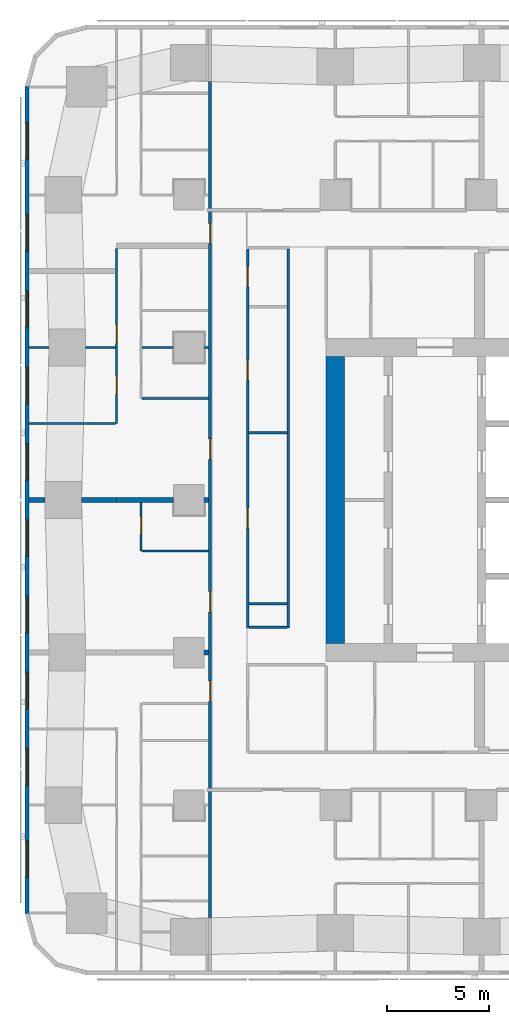
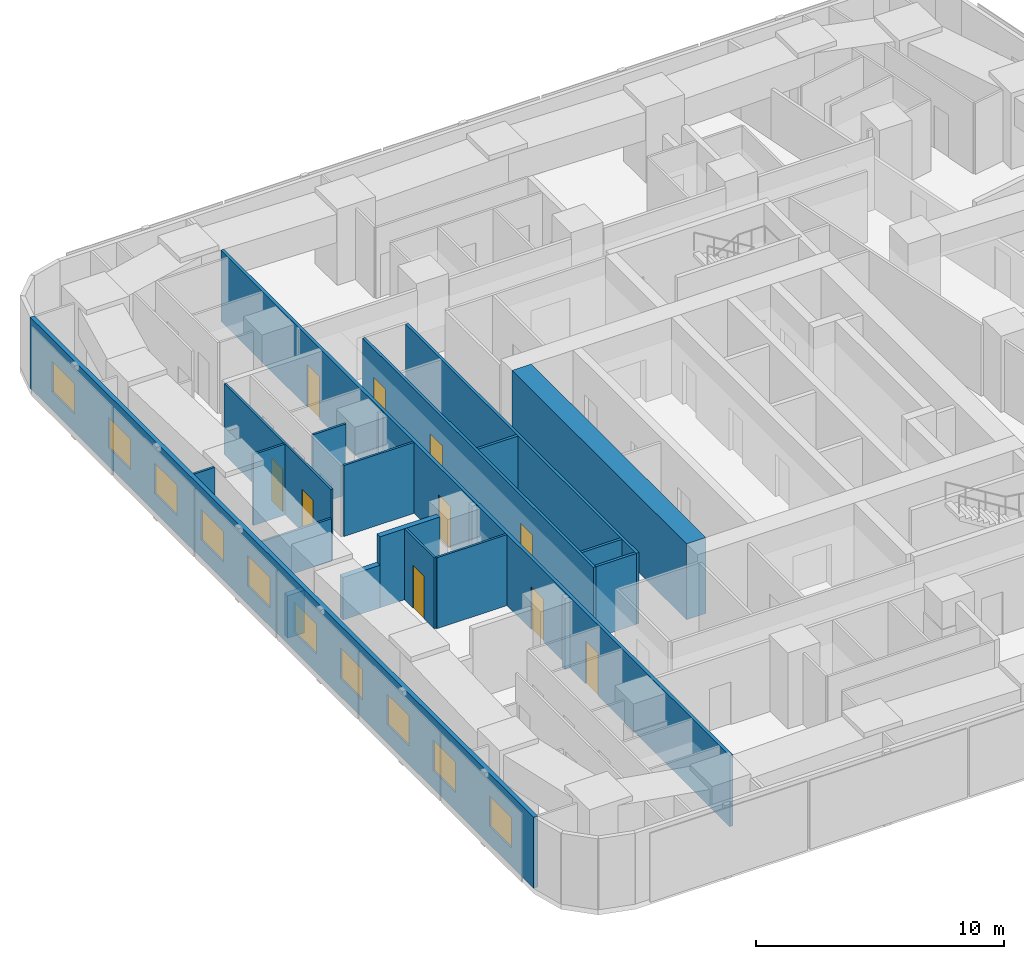
# One storey, part 4 of 15: 22 walls, 10 doors, 10 windows, 20 openings.
"""IFC4 building model written with IfcOpenShell, lengths in metres."""

from ifc_helpers import new_model, si_unit, direction, frame, frame_2d, origin, place, context, subcontext, project, spatial, rectangle, extrude, material, layer, layer_set, type_object, element, fill, save


model = new_model("IFC4")

# Units and contexts
model_context = context("Model", 3, precision=1e-05, world=origin(), true_north=direction((0.0, 1.0)))
body_context = subcontext(model_context, "Body", "Model", "MODEL_VIEW")
ifc_project = project(units=[si_unit("LENGTHUNIT", "METRE"), si_unit("AREAUNIT", "SQUARE_METRE"), si_unit("VOLUMEUNIT", "CUBIC_METRE"), si_unit("PLANEANGLEUNIT", "RADIAN"), si_unit("MASSUNIT", "GRAM", prefix="KILO")], contexts=[model_context])

# Site, building, storey
site_placement = place(None, origin())
site = spatial("IfcSite", under=ifc_project, at=site_placement, CompositionType="ELEMENT")
building_placement = place(site_placement, origin())
building = spatial("IfcBuilding", under=site, at=building_placement, Name="Sheger Commons Tower", CompositionType="ELEMENT")
storey_placement = place(building_placement, frame((0.0, 0.0, 173.300048828125)))
storey = spatial("IfcBuildingStorey", under=building, at=storey_placement, Name="L44", CompositionType="ELEMENT", Elevation=173.300048828125)

# Wall
ifc_material_1 = material(Name="Concrete C50/60", Category="concrete")
ifc_layer_1 = layer(ifc_material_1, 0.89990234375)
ifc_layer_set_1 = layer_set([ifc_layer_1], Name="CORE WALL 900")
wall_type_1 = type_object("IfcWallType", Name="CORE WALL 900", PredefinedType="SHEAR", material=ifc_layer_set_1)
wall_1_placement = place(storey_placement, frame((14.39990234375, 15.449951171875, 0.0), z_axis=(0.0, 0.0, 1.0), x_axis=(0.0, 1.0, 0.0)))
element("IfcWall", 1, at=wall_1_placement, inside=storey, type_object=wall_type_1, Name="Core wall west L44", PredefinedType="SHEAR", context=body_context, shape_type="SweptSolid", body=[
    extrude(rectangle(XDim=14.10009765625, YDim=0.89990234375, at=frame_2d((7.050048828125, 0.0))), origin(), (0.0, 0.0, 1.0), 3.75),
])

# Wall, openings, doors
ifc_material_2 = material(Name="Hollow concrete block masonry, skimmed both sides", Category="masonry")
ifc_layer_2 = layer(ifc_material_2, 0.14990234375)
ifc_layer_set_2 = layer_set([ifc_layer_2], Name="CORRIDOR WALL 150")
wall_type_2 = type_object("IfcWallType", Name="CORRIDOR WALL 150", PredefinedType="SOLIDWALL", material=ifc_layer_set_2)
wall_2_placement = place(storey_placement, frame((8.25, 1.95703125, 0.0), z_axis=(0.0, 0.0, 1.0), x_axis=(0.0, 1.0, 0.0)))
wall_2 = element("IfcWall", 2, at=wall_2_placement, inside=storey, type_object=wall_type_2, Name="Corridor wall L44", PredefinedType="SOLIDWALL", context=body_context, shape_type="SweptSolid", body=[
    extrude(rectangle(XDim=41.111083984375, YDim=0.14990234375, at=frame_2d((20.5556640625, 0.0))), origin(), (0.0, 0.0, 1.0), 3.5),
])
opening_1_placement = place(wall_2_placement, frame((10.64208984375, 0.0, 0.0)))
opening_1 = element("IfcOpeningElement", 3, at=opening_1_placement, cuts=wall_2, Name="Opening D1", PredefinedType="OPENING", context=body_context, shape_type="SweptSolid", body=[
    extrude(rectangle(XDim=1.0, YDim=2.10009765625, at=frame_2d((0.5, 1.050048828125))), frame((0.0, 0.0849609375, 0.0), z_axis=(0.0, -1.0, 0.0), x_axis=(1.0, 0.0, 0.0)), (0.0, 0.0, 1.0), 0.169921875),
])
opening_2_placement = place(wall_2_placement, frame((15.0419921875, 0.0, 0.0)))
opening_2 = element("IfcOpeningElement", 4, at=opening_2_placement, cuts=wall_2, Name="Opening D1", PredefinedType="OPENING", context=body_context, shape_type="SweptSolid", body=[
    extrude(rectangle(XDim=1.0, YDim=2.10009765625, at=frame_2d((0.5, 1.050048828125))), frame((0.0, 0.0849609375, 0.0), z_axis=(0.0, -1.0, 0.0), x_axis=(1.0, 0.0, 0.0)), (0.0, 0.0, 1.0), 0.169921875),
])
opening_3_placement = place(wall_2_placement, frame((22.54296875, 0.0, 0.0)))
opening_3 = element("IfcOpeningElement", 5, at=opening_3_placement, cuts=wall_2, Name="Opening D1", PredefinedType="OPENING", context=body_context, shape_type="SweptSolid", body=[
    extrude(rectangle(XDim=1.0, YDim=2.10009765625, at=frame_2d((0.5, 1.050048828125))), frame((0.0, 0.0849609375, 0.0), z_axis=(0.0, -1.0, 0.0), x_axis=(1.0, 0.0, 0.0)), (0.0, 0.0, 1.0), 0.169921875),
])
opening_4_placement = place(wall_2_placement, frame((33.14208984375, 0.0, 0.0)))
opening_4 = element("IfcOpeningElement", 6, at=opening_4_placement, cuts=wall_2, Name="Opening D1", PredefinedType="OPENING", context=body_context, shape_type="SweptSolid", body=[
    extrude(rectangle(XDim=1.0, YDim=2.10009765625, at=frame_2d((0.5, 1.050048828125))), frame((0.0, 0.0849609375, 0.0), z_axis=(0.0, -1.0, 0.0), x_axis=(1.0, 0.0, 0.0)), (0.0, 0.0, 1.0), 0.169921875),
])
ifc_material_3 = material(Name="Steel door set, fire rated", Category="steel")
door_type_1 = type_object("IfcDoorType", Name="FLAT ENTRANCE DOOR 1000x2100", OperationType="NOTDEFINED", PredefinedType="DOOR", material=ifc_material_3)
door_1_placement = place(opening_1_placement, origin())
door_1 = element("IfcDoor", 7, at=door_1_placement, inside=storey, type_object=door_type_1, Name="Flat entrance door", OperationType="SINGLE_SWING_LEFT", OverallHeight=2.10009765625, OverallWidth=1.0, PredefinedType="DOOR", context=body_context, shape_type="SweptSolid", body=[
    extrude(rectangle(XDim=1.0, YDim=2.10009765625, at=frame_2d((0.5, 1.050048828125))), frame((0.0, 0.02490234375, 0.0), z_axis=(0.0, -1.0, 0.0), x_axis=(1.0, 0.0, 0.0)), (0.0, 0.0, 1.0), 0.050048828125),
])
fill(opening_1, door_1)
door_2_placement = place(opening_2_placement, origin())
door_2 = element("IfcDoor", 8, at=door_2_placement, inside=storey, type_object=door_type_1, Name="Flat entrance door", OperationType="SINGLE_SWING_LEFT", OverallHeight=2.10009765625, OverallWidth=1.0, PredefinedType="DOOR", context=body_context, shape_type="SweptSolid", body=[
    extrude(rectangle(XDim=1.0, YDim=2.10009765625, at=frame_2d((0.5, 1.050048828125))), frame((0.0, 0.02490234375, 0.0), z_axis=(0.0, -1.0, 0.0), x_axis=(1.0, 0.0, 0.0)), (0.0, 0.0, 1.0), 0.050048828125),
])
fill(opening_2, door_2)
door_3_placement = place(opening_3_placement, origin())
door_3 = element("IfcDoor", 9, at=door_3_placement, inside=storey, type_object=door_type_1, Name="Flat entrance door", OperationType="SINGLE_SWING_LEFT", OverallHeight=2.10009765625, OverallWidth=1.0, PredefinedType="DOOR", context=body_context, shape_type="SweptSolid", body=[
    extrude(rectangle(XDim=1.0, YDim=2.10009765625, at=frame_2d((0.5, 1.050048828125))), frame((0.0, 0.02490234375, 0.0), z_axis=(0.0, -1.0, 0.0), x_axis=(1.0, 0.0, 0.0)), (0.0, 0.0, 1.0), 0.050048828125),
])
fill(opening_3, door_3)
door_4_placement = place(opening_4_placement, origin())
door_4 = element("IfcDoor", 10, at=door_4_placement, inside=storey, type_object=door_type_1, Name="Flat entrance door", OperationType="SINGLE_SWING_LEFT", OverallHeight=2.10009765625, OverallWidth=1.0, PredefinedType="DOOR", context=body_context, shape_type="SweptSolid", body=[
    extrude(rectangle(XDim=1.0, YDim=2.10009765625, at=frame_2d((0.5, 1.050048828125))), frame((0.0, 0.02490234375, 0.0), z_axis=(0.0, -1.0, 0.0), x_axis=(1.0, 0.0, 0.0)), (0.0, 0.0, 1.0), 0.050048828125),
])
fill(opening_4, door_4)

# Walls
ifc_material_4 = material(Name="Dense concrete block masonry, plastered both sides (separating wall between flats)", Category="masonry")
ifc_layer_3 = layer(ifc_material_4, 0.25)
ifc_layer_set_3 = layer_set([ifc_layer_3], Name="DEMISING WALL 250")
wall_type_3 = type_object("IfcWallType", Name="DEMISING WALL 250", PredefinedType="SOLIDWALL", material=ifc_layer_set_3)
wall_3_placement = place(storey_placement, frame((7.950927734375, 15.0, 0.0), z_axis=(0.0, 0.0, 1.0), x_axis=(1.0, 0.0, 0.0)))
element("IfcWall", 11, at=wall_3_placement, inside=storey, type_object=wall_type_3, Name="Demising wall L44", PredefinedType="SOLIDWALL", context=body_context, shape_type="SweptSolid", body=[
    extrude(rectangle(XDim=0.22412109375, YDim=0.25, at=frame_2d((0.112060546875, 0.0))), origin(), (0.0, 0.0, 1.0), 3.5),
])
wall_4_placement = place(storey_placement, frame((-0.64990234375, 22.5, 0.0), z_axis=(0.0, 0.0, 1.0), x_axis=(1.0, 0.0, 0.0)))
element("IfcWall", 12, at=wall_4_placement, inside=storey, type_object=wall_type_3, Name="Demising wall L44", PredefinedType="SOLIDWALL", context=body_context, shape_type="SweptSolid", body=[
    extrude(rectangle(XDim=0.77392578125, YDim=0.25, at=frame_2d((0.386962890625, 0.0))), origin(), (0.0, 0.0, 1.0), 2.099853515625),
])
wall_5_placement = place(storey_placement, frame((1.926025390625, 22.5, 0.0), z_axis=(0.0, 0.0, 1.0), x_axis=(1.0, 0.0, 0.0)))
element("IfcWall", 13, at=wall_5_placement, inside=storey, type_object=wall_type_3, Name="Demising wall L44", PredefinedType="SOLIDWALL", context=body_context, shape_type="SweptSolid", body=[
    extrude(rectangle(XDim=1.723876953125, YDim=0.25, at=frame_2d((0.86181640625, 0.0))), origin(), (0.0, 0.0, 1.0), 2.099853515625),
])
wall_6_placement = place(storey_placement, frame((3.64990234375, 22.5, 0.0), z_axis=(0.0, 0.0, 1.0), x_axis=(1.0, 0.0, 0.0)))
element("IfcWall", 14, at=wall_6_placement, inside=storey, type_object=wall_type_3, Name="Demising wall L44", PredefinedType="SOLIDWALL", context=body_context, shape_type="SweptSolid", body=[
    extrude(rectangle(XDim=2.799072265625, YDim=0.25, at=frame_2d((1.3994140625, 0.0))), origin(), (0.0, 0.0, 1.0), 3.5),
])
wall_7_placement = place(storey_placement, frame((7.950927734375, 22.5, 0.0), z_axis=(0.0, 0.0, 1.0), x_axis=(1.0, 0.0, 0.0)))
element("IfcWall", 15, at=wall_7_placement, inside=storey, type_object=wall_type_3, Name="Demising wall L44", PredefinedType="SOLIDWALL", context=body_context, shape_type="SweptSolid", body=[
    extrude(rectangle(XDim=0.22412109375, YDim=0.25, at=frame_2d((0.112060546875, 0.0))), origin(), (0.0, 0.0, 1.0), 3.5),
])

# Wall, openings, windows
ifc_material_5 = material(Name="Rendered concrete block masonry, dark grey", Category="masonry")
ifc_layer_4 = layer(ifc_material_5, 0.199951171875)
ifc_layer_set_4 = layer_set([ifc_layer_4], Name="FACADE WALL 200")
wall_type_4 = type_object("IfcWallType", Name="FACADE WALL 200", PredefinedType="SOLIDWALL", material=ifc_layer_set_4)
wall_8_placement = place(storey_placement, frame((-0.75, 42.8369140625, 0.0), z_axis=(0.0, 0.0, 1.0), x_axis=(0.0, -1.0, 0.0)))
wall_8 = element("IfcWall", 16, at=wall_8_placement, inside=storey, type_object=wall_type_4, Name="Facade wall L44", PredefinedType="SOLIDWALL", context=body_context, shape_type="SweptSolid", body=[
    extrude(rectangle(XDim=40.673828125, YDim=0.199951171875, at=frame_2d((20.3369140625, 0.0))), origin(), (0.0, 0.0, 1.0), 3.5),
])
opening_5_placement = place(wall_8_placement, frame((1.780029296875, 0.0, 0.89990234375)))
opening_5 = element("IfcOpeningElement", 17, at=opening_5_placement, cuts=wall_8, Name="Opening W2", PredefinedType="OPENING", context=body_context, shape_type="SweptSolid", body=[
    extrude(rectangle(XDim=1.800048828125, YDim=1.5, at=frame_2d((0.89990234375, 0.75))), frame((0.0, 0.10986328125, 0.0), z_axis=(0.0, -1.0, 0.0), x_axis=(1.0, 0.0, 0.0)), (0.0, 0.0, 1.0), 0.219970703125),
])
opening_6_placement = place(wall_8_placement, frame((6.31201171875, 0.0, 0.89990234375)))
opening_6 = element("IfcOpeningElement", 18, at=opening_6_placement, cuts=wall_8, Name="Opening W2", PredefinedType="OPENING", context=body_context, shape_type="SweptSolid", body=[
    extrude(rectangle(XDim=1.800048828125, YDim=1.5, at=frame_2d((0.89990234375, 0.75))), frame((0.0, 0.10986328125, 0.0), z_axis=(0.0, -1.0, 0.0), x_axis=(1.0, 0.0, 0.0)), (0.0, 0.0, 1.0), 0.219970703125),
])
opening_7_placement = place(wall_8_placement, frame((10.06201171875, 0.0, 0.89990234375)))
opening_7 = element("IfcOpeningElement", 19, at=opening_7_placement, cuts=wall_8, Name="Opening W2", PredefinedType="OPENING", context=body_context, shape_type="SweptSolid", body=[
    extrude(rectangle(XDim=1.800048828125, YDim=1.5, at=frame_2d((0.89990234375, 0.75))), frame((0.0, 0.10986328125, 0.0), z_axis=(0.0, -1.0, 0.0), x_axis=(1.0, 0.0, 0.0)), (0.0, 0.0, 1.0), 0.219970703125),
])
opening_8_placement = place(wall_8_placement, frame((13.81201171875, 0.0, 0.89990234375)))
opening_8 = element("IfcOpeningElement", 20, at=opening_8_placement, cuts=wall_8, Name="Opening W2", PredefinedType="OPENING", context=body_context, shape_type="SweptSolid", body=[
    extrude(rectangle(XDim=1.800048828125, YDim=1.5, at=frame_2d((0.89990234375, 0.75))), frame((0.0, 0.10986328125, 0.0), z_axis=(0.0, -1.0, 0.0), x_axis=(1.0, 0.0, 0.0)), (0.0, 0.0, 1.0), 0.219970703125),
])
opening_9_placement = place(wall_8_placement, frame((17.56201171875, 0.0, 0.89990234375)))
opening_9 = element("IfcOpeningElement", 21, at=opening_9_placement, cuts=wall_8, Name="Opening W2", PredefinedType="OPENING", context=body_context, shape_type="SweptSolid", body=[
    extrude(rectangle(XDim=1.800048828125, YDim=1.5, at=frame_2d((0.89990234375, 0.75))), frame((0.0, 0.10986328125, 0.0), z_axis=(0.0, -1.0, 0.0), x_axis=(1.0, 0.0, 0.0)), (0.0, 0.0, 1.0), 0.219970703125),
])
opening_10_placement = place(wall_8_placement, frame((21.31201171875, 0.0, 0.89990234375)))
opening_10 = element("IfcOpeningElement", 22, at=opening_10_placement, cuts=wall_8, Name="Opening W2", PredefinedType="OPENING", context=body_context, shape_type="SweptSolid", body=[
    extrude(rectangle(XDim=1.800048828125, YDim=1.5, at=frame_2d((0.89990234375, 0.75))), frame((0.0, 0.10986328125, 0.0), z_axis=(0.0, -1.0, 0.0), x_axis=(1.0, 0.0, 0.0)), (0.0, 0.0, 1.0), 0.219970703125),
])
opening_11_placement = place(wall_8_placement, frame((25.06201171875, 0.0, 0.89990234375)))
opening_11 = element("IfcOpeningElement", 23, at=opening_11_placement, cuts=wall_8, Name="Opening W2", PredefinedType="OPENING", context=body_context, shape_type="SweptSolid", body=[
    extrude(rectangle(XDim=1.800048828125, YDim=1.5, at=frame_2d((0.89990234375, 0.75))), frame((0.0, 0.10986328125, 0.0), z_axis=(0.0, -1.0, 0.0), x_axis=(1.0, 0.0, 0.0)), (0.0, 0.0, 1.0), 0.219970703125),
])
opening_12_placement = place(wall_8_placement, frame((28.81201171875, 0.0, 0.89990234375)))
opening_12 = element("IfcOpeningElement", 24, at=opening_12_placement, cuts=wall_8, Name="Opening W2", PredefinedType="OPENING", context=body_context, shape_type="SweptSolid", body=[
    extrude(rectangle(XDim=1.800048828125, YDim=1.5, at=frame_2d((0.89990234375, 0.75))), frame((0.0, 0.10986328125, 0.0), z_axis=(0.0, -1.0, 0.0), x_axis=(1.0, 0.0, 0.0)), (0.0, 0.0, 1.0), 0.219970703125),
])
opening_13_placement = place(wall_8_placement, frame((32.56201171875, 0.0, 0.89990234375)))
opening_13 = element("IfcOpeningElement", 25, at=opening_13_placement, cuts=wall_8, Name="Opening W2", PredefinedType="OPENING", context=body_context, shape_type="SweptSolid", body=[
    extrude(rectangle(XDim=1.800048828125, YDim=1.5, at=frame_2d((0.89990234375, 0.75))), frame((0.0, 0.10986328125, 0.0), z_axis=(0.0, -1.0, 0.0), x_axis=(1.0, 0.0, 0.0)), (0.0, 0.0, 1.0), 0.219970703125),
])
opening_14_placement = place(wall_8_placement, frame((37.093994140625, 0.0, 0.89990234375)))
opening_14 = element("IfcOpeningElement", 26, at=opening_14_placement, cuts=wall_8, Name="Opening W2", PredefinedType="OPENING", context=body_context, shape_type="SweptSolid", body=[
    extrude(rectangle(XDim=1.800048828125, YDim=1.5, at=frame_2d((0.89990234375, 0.75))), frame((0.0, 0.10986328125, 0.0), z_axis=(0.0, -1.0, 0.0), x_axis=(1.0, 0.0, 0.0)), (0.0, 0.0, 1.0), 0.219970703125),
])
ifc_material_6 = material(Name="Black aluminium frame, dark tinted double glazing", Category="aluminium")
window_type = type_object("IfcWindowType", Name="WINDOW W2 1800x1500", PartitioningType="SINGLE_PANEL", PredefinedType="WINDOW", material=ifc_material_6)
window_1_placement = place(opening_5_placement, origin())
window_1 = element("IfcWindow", 27, at=window_1_placement, inside=storey, type_object=window_type, Name="Window W2 1800X1500", OverallHeight=1.5, OverallWidth=1.800048828125, PartitioningType="SINGLE_PANEL", PredefinedType="WINDOW", context=body_context, shape_type="SweptSolid", body=[
    extrude(rectangle(XDim=1.800048828125, YDim=1.5, at=frame_2d((0.89990234375, 0.75))), frame((0.0, 0.030029296875, 0.0), z_axis=(0.0, -1.0, 0.0), x_axis=(1.0, 0.0, 0.0)), (0.0, 0.0, 1.0), 0.06005859375),
])
fill(opening_5, window_1)
window_2_placement = place(opening_6_placement, origin())
window_2 = element("IfcWindow", 28, at=window_2_placement, inside=storey, type_object=window_type, Name="Window W2 1800X1500", OverallHeight=1.5, OverallWidth=1.800048828125, PartitioningType="SINGLE_PANEL", PredefinedType="WINDOW", context=body_context, shape_type="SweptSolid", body=[
    extrude(rectangle(XDim=1.800048828125, YDim=1.5, at=frame_2d((0.89990234375, 0.75))), frame((0.0, 0.030029296875, 0.0), z_axis=(0.0, -1.0, 0.0), x_axis=(1.0, 0.0, 0.0)), (0.0, 0.0, 1.0), 0.06005859375),
])
fill(opening_6, window_2)
window_3_placement = place(opening_7_placement, origin())
window_3 = element("IfcWindow", 29, at=window_3_placement, inside=storey, type_object=window_type, Name="Window W2 1800X1500", OverallHeight=1.5, OverallWidth=1.800048828125, PartitioningType="SINGLE_PANEL", PredefinedType="WINDOW", context=body_context, shape_type="SweptSolid", body=[
    extrude(rectangle(XDim=1.800048828125, YDim=1.5, at=frame_2d((0.89990234375, 0.75))), frame((0.0, 0.030029296875, 0.0), z_axis=(0.0, -1.0, 0.0), x_axis=(1.0, 0.0, 0.0)), (0.0, 0.0, 1.0), 0.06005859375),
])
fill(opening_7, window_3)
window_4_placement = place(opening_8_placement, origin())
window_4 = element("IfcWindow", 30, at=window_4_placement, inside=storey, type_object=window_type, Name="Window W2 1800X1500", OverallHeight=1.5, OverallWidth=1.800048828125, PartitioningType="SINGLE_PANEL", PredefinedType="WINDOW", context=body_context, shape_type="SweptSolid", body=[
    extrude(rectangle(XDim=1.800048828125, YDim=1.5, at=frame_2d((0.89990234375, 0.75))), frame((0.0, 0.030029296875, 0.0), z_axis=(0.0, -1.0, 0.0), x_axis=(1.0, 0.0, 0.0)), (0.0, 0.0, 1.0), 0.06005859375),
])
fill(opening_8, window_4)
window_5_placement = place(opening_9_placement, origin())
window_5 = element("IfcWindow", 31, at=window_5_placement, inside=storey, type_object=window_type, Name="Window W2 1800X1500", OverallHeight=1.5, OverallWidth=1.800048828125, PartitioningType="SINGLE_PANEL", PredefinedType="WINDOW", context=body_context, shape_type="SweptSolid", body=[
    extrude(rectangle(XDim=1.800048828125, YDim=1.5, at=frame_2d((0.89990234375, 0.75))), frame((0.0, 0.030029296875, 0.0), z_axis=(0.0, -1.0, 0.0), x_axis=(1.0, 0.0, 0.0)), (0.0, 0.0, 1.0), 0.06005859375),
])
fill(opening_9, window_5)
window_6_placement = place(opening_10_placement, origin())
window_6 = element("IfcWindow", 32, at=window_6_placement, inside=storey, type_object=window_type, Name="Window W2 1800X1500", OverallHeight=1.5, OverallWidth=1.800048828125, PartitioningType="SINGLE_PANEL", PredefinedType="WINDOW", context=body_context, shape_type="SweptSolid", body=[
    extrude(rectangle(XDim=1.800048828125, YDim=1.5, at=frame_2d((0.89990234375, 0.75))), frame((0.0, 0.030029296875, 0.0), z_axis=(0.0, -1.0, 0.0), x_axis=(1.0, 0.0, 0.0)), (0.0, 0.0, 1.0), 0.06005859375),
])
fill(opening_10, window_6)
window_7_placement = place(opening_11_placement, origin())
window_7 = element("IfcWindow", 33, at=window_7_placement, inside=storey, type_object=window_type, Name="Window W2 1800X1500", OverallHeight=1.5, OverallWidth=1.800048828125, PartitioningType="SINGLE_PANEL", PredefinedType="WINDOW", context=body_context, shape_type="SweptSolid", body=[
    extrude(rectangle(XDim=1.800048828125, YDim=1.5, at=frame_2d((0.89990234375, 0.75))), frame((0.0, 0.030029296875, 0.0), z_axis=(0.0, -1.0, 0.0), x_axis=(1.0, 0.0, 0.0)), (0.0, 0.0, 1.0), 0.06005859375),
])
fill(opening_11, window_7)
window_8_placement = place(opening_12_placement, origin())
window_8 = element("IfcWindow", 34, at=window_8_placement, inside=storey, type_object=window_type, Name="Window W2 1800X1500", OverallHeight=1.5, OverallWidth=1.800048828125, PartitioningType="SINGLE_PANEL", PredefinedType="WINDOW", context=body_context, shape_type="SweptSolid", body=[
    extrude(rectangle(XDim=1.800048828125, YDim=1.5, at=frame_2d((0.89990234375, 0.75))), frame((0.0, 0.030029296875, 0.0), z_axis=(0.0, -1.0, 0.0), x_axis=(1.0, 0.0, 0.0)), (0.0, 0.0, 1.0), 0.06005859375),
])
fill(opening_12, window_8)
window_9_placement = place(opening_13_placement, origin())
window_9 = element("IfcWindow", 35, at=window_9_placement, inside=storey, type_object=window_type, Name="Window W2 1800X1500", OverallHeight=1.5, OverallWidth=1.800048828125, PartitioningType="SINGLE_PANEL", PredefinedType="WINDOW", context=body_context, shape_type="SweptSolid", body=[
    extrude(rectangle(XDim=1.800048828125, YDim=1.5, at=frame_2d((0.89990234375, 0.75))), frame((0.0, 0.030029296875, 0.0), z_axis=(0.0, -1.0, 0.0), x_axis=(1.0, 0.0, 0.0)), (0.0, 0.0, 1.0), 0.06005859375),
])
fill(opening_13, window_9)
window_10_placement = place(opening_14_placement, origin())
window_10 = element("IfcWindow", 36, at=window_10_placement, inside=storey, type_object=window_type, Name="Window W2 1800X1500", OverallHeight=1.5, OverallWidth=1.800048828125, PartitioningType="SINGLE_PANEL", PredefinedType="WINDOW", context=body_context, shape_type="SweptSolid", body=[
    extrude(rectangle(XDim=1.800048828125, YDim=1.5, at=frame_2d((0.89990234375, 0.75))), frame((0.0, 0.030029296875, 0.0), z_axis=(0.0, -1.0, 0.0), x_axis=(1.0, 0.0, 0.0)), (0.0, 0.0, 1.0), 0.06005859375),
])
fill(opening_14, window_10)

# Wall, opening, door
ifc_material_7 = material(Name="Gypsum board on steel studs", Category="steel")
ifc_layer_5 = layer(ifc_material_7, 0.10009765625)
ifc_layer_set_5 = layer_set([ifc_layer_5], Name="PARTITION 100")
wall_type_5 = type_object("IfcWallType", Name="PARTITION 100", PredefinedType="PARTITIONING", material=ifc_layer_set_5)
wall_9_placement = place(storey_placement, frame((4.85009765625, 19.9990234375, 0.0), z_axis=(0.0, 0.0, 1.0), x_axis=(0.0, 1.0, 0.0)))
wall_9 = element("IfcWall", 37, at=wall_9_placement, inside=storey, type_object=wall_type_5, Name="Partition L44", PredefinedType="PARTITIONING", context=body_context, shape_type="SweptSolid", body=[
    extrude(rectangle(XDim=2.3759765625, YDim=0.10009765625, at=frame_2d((1.18798828125, 0.0))), origin(), (0.0, 0.0, 1.0), 3.5),
])
opening_15_placement = place(wall_9_placement, frame((0.800048828125, 0.0, 0.0)))
opening_15 = element("IfcOpeningElement", 38, at=opening_15_placement, cuts=wall_9, Name="Opening D2", PredefinedType="OPENING", context=body_context, shape_type="SweptSolid", body=[
    extrude(rectangle(XDim=0.89990234375, YDim=2.10009765625, at=frame_2d((0.449951171875, 1.050048828125))), frame((0.0, 0.06005859375, 0.0), z_axis=(0.0, -1.0, 0.0), x_axis=(1.0, 0.0, 0.0)), (0.0, 0.0, 1.0), 0.1201171875),
])
ifc_material_8 = material(Name="Timber door set", Category="wood")
door_type_2 = type_object("IfcDoorType", Name="INTERNAL DOOR 900x2100", OperationType="NOTDEFINED", PredefinedType="DOOR", material=ifc_material_8)
door_5_placement = place(opening_15_placement, origin())
door_5 = element("IfcDoor", 39, at=door_5_placement, inside=storey, type_object=door_type_2, Name="Bathroom door", OperationType="SINGLE_SWING_LEFT", OverallHeight=2.10009765625, OverallWidth=0.89990234375, PredefinedType="DOOR", context=body_context, shape_type="SweptSolid", body=[
    extrude(rectangle(XDim=0.89990234375, YDim=2.10009765625, at=frame_2d((0.449951171875, 1.050048828125))), frame((0.0, 0.02490234375, 0.0), z_axis=(0.0, -1.0, 0.0), x_axis=(1.0, 0.0, 0.0)), (0.0, 0.0, 1.0), 0.050048828125),
])
fill(opening_15, door_5)

# Wall
wall_10_placement = place(storey_placement, frame((4.89990234375, 19.9990234375, 0.0), z_axis=(0.0, 0.0, 1.0), x_axis=(1.0, 0.0, 0.0)))
element("IfcWall", 40, at=wall_10_placement, inside=storey, type_object=wall_type_5, Name="Partition L44", PredefinedType="PARTITIONING", context=body_context, shape_type="SweptSolid", body=[
    extrude(rectangle(XDim=3.275146484375, YDim=0.10009765625, at=frame_2d((1.6376953125, 0.0))), origin(), (0.0, 0.0, 1.0), 3.5),
])

# Wall, openings, doors
wall_11_placement = place(storey_placement, frame((3.64990234375, 26.25, 0.0), z_axis=(0.0, 0.0, 1.0), x_axis=(0.0, 1.0, 0.0)))
wall_11 = element("IfcWall", 41, at=wall_11_placement, inside=storey, type_object=wall_type_5, Name="Partition L44", PredefinedType="PARTITIONING", context=body_context, shape_type="SweptSolid", body=[
    extrude(rectangle(XDim=8.6240234375, YDim=0.10009765625, at=frame_2d((4.31201171875, 0.0))), origin(), (0.0, 0.0, 1.0), 3.5),
])
opening_16_placement = place(wall_11_placement, frame((1.448974609375, 0.0, 0.0)))
opening_16 = element("IfcOpeningElement", 42, at=opening_16_placement, cuts=wall_11, Name="Opening D2", PredefinedType="OPENING", context=body_context, shape_type="SweptSolid", body=[
    extrude(rectangle(XDim=0.89990234375, YDim=2.10009765625, at=frame_2d((0.449951171875, 1.050048828125))), frame((0.0, 0.06005859375, 0.0), z_axis=(0.0, -1.0, 0.0), x_axis=(1.0, 0.0, 0.0)), (0.0, 0.0, 1.0), 0.1201171875),
])
opening_17_placement = place(wall_11_placement, frame((3.949951171875, 0.0, 0.0)))
opening_17 = element("IfcOpeningElement", 43, at=opening_17_placement, cuts=wall_11, Name="Opening D2", PredefinedType="OPENING", context=body_context, shape_type="SweptSolid", body=[
    extrude(rectangle(XDim=0.89990234375, YDim=2.10009765625, at=frame_2d((0.449951171875, 1.050048828125))), frame((0.0, 0.06005859375, 0.0), z_axis=(0.0, -1.0, 0.0), x_axis=(1.0, 0.0, 0.0)), (0.0, 0.0, 1.0), 0.1201171875),
])
door_6_placement = place(opening_16_placement, origin())
door_6 = element("IfcDoor", 44, at=door_6_placement, inside=storey, type_object=door_type_2, Name="Main bedroom door", OperationType="SINGLE_SWING_LEFT", OverallHeight=2.10009765625, OverallWidth=0.89990234375, PredefinedType="DOOR", context=body_context, shape_type="SweptSolid", body=[
    extrude(rectangle(XDim=0.89990234375, YDim=2.10009765625, at=frame_2d((0.449951171875, 1.050048828125))), frame((0.0, 0.02490234375, 0.0), z_axis=(0.0, -1.0, 0.0), x_axis=(1.0, 0.0, 0.0)), (0.0, 0.0, 1.0), 0.050048828125),
])
fill(opening_16, door_6)
door_7_placement = place(opening_17_placement, origin())
door_7 = element("IfcDoor", 45, at=door_7_placement, inside=storey, type_object=door_type_2, Name="Bedroom 2 door", OperationType="SINGLE_SWING_LEFT", OverallHeight=2.10009765625, OverallWidth=0.89990234375, PredefinedType="DOOR", context=body_context, shape_type="SweptSolid", body=[
    extrude(rectangle(XDim=0.89990234375, YDim=2.10009765625, at=frame_2d((0.449951171875, 1.050048828125))), frame((0.0, 0.02490234375, 0.0), z_axis=(0.0, -1.0, 0.0), x_axis=(1.0, 0.0, 0.0)), (0.0, 0.0, 1.0), 0.050048828125),
])
fill(opening_17, door_7)

# Walls
wall_12_placement = place(storey_placement, frame((-0.64990234375, 26.25, 0.0), z_axis=(0.0, 0.0, 1.0), x_axis=(1.0, 0.0, 0.0)))
element("IfcWall", 46, at=wall_12_placement, inside=storey, type_object=wall_type_5, Name="Partition L44", PredefinedType="PARTITIONING", context=body_context, shape_type="SweptSolid", body=[
    extrude(rectangle(XDim=4.25, YDim=0.10009765625, at=frame_2d((2.125, 0.0))), origin(), (0.0, 0.0, 1.0), 2.099853515625),
])
wall_13_placement = place(storey_placement, frame((-0.64990234375, 30.0, 0.0), z_axis=(0.0, 0.0, 1.0), x_axis=(1.0, 0.0, 0.0)))
element("IfcWall", 47, at=wall_13_placement, inside=storey, type_object=wall_type_5, Name="Partition L44", PredefinedType="PARTITIONING", context=body_context, shape_type="SweptSolid", body=[
    extrude(rectangle(XDim=0.973876953125, YDim=0.10009765625, at=frame_2d((0.48681640625, 0.0))), origin(), (0.0, 0.0, 1.0), 3.5),
])
wall_14_placement = place(storey_placement, frame((2.1259765625, 30.0, 0.0), z_axis=(0.0, 0.0, 1.0), x_axis=(1.0, 0.0, 0.0)))
element("IfcWall", 48, at=wall_14_placement, inside=storey, type_object=wall_type_5, Name="Partition L44", PredefinedType="PARTITIONING", context=body_context, shape_type="SweptSolid", body=[
    extrude(rectangle(XDim=1.47412109375, YDim=0.10009765625, at=frame_2d((0.737060546875, 0.0))), origin(), (0.0, 0.0, 1.0), 3.5),
])
wall_15_placement = place(storey_placement, frame((4.89990234375, 27.4990234375, 0.0), z_axis=(0.0, 0.0, 1.0), x_axis=(1.0, 0.0, 0.0)))
element("IfcWall", 49, at=wall_15_placement, inside=storey, type_object=wall_type_5, Name="Partition L44", PredefinedType="PARTITIONING", context=body_context, shape_type="SweptSolid", body=[
    extrude(rectangle(XDim=3.275146484375, YDim=0.10009765625, at=frame_2d((1.6376953125, 0.0))), origin(), (0.0, 0.0, 1.0), 3.5),
])
wall_16_placement = place(storey_placement, frame((4.89990234375, 30.0, 0.0), z_axis=(0.0, 0.0, 1.0), x_axis=(1.0, 0.0, 0.0)))
element("IfcWall", 50, at=wall_16_placement, inside=storey, type_object=wall_type_5, Name="Partition L44", PredefinedType="PARTITIONING", context=body_context, shape_type="SweptSolid", body=[
    extrude(rectangle(XDim=1.549072265625, YDim=0.10009765625, at=frame_2d((0.7744140625, 0.0))), origin(), (0.0, 0.0, 1.0), 3.5),
])
wall_17_placement = place(storey_placement, frame((7.950927734375, 30.0, 0.0), z_axis=(0.0, 0.0, 1.0), x_axis=(1.0, 0.0, 0.0)))
element("IfcWall", 51, at=wall_17_placement, inside=storey, type_object=wall_type_5, Name="Partition L44", PredefinedType="PARTITIONING", context=body_context, shape_type="SweptSolid", body=[
    extrude(rectangle(XDim=0.22412109375, YDim=0.10009765625, at=frame_2d((0.112060546875, 0.0))), origin(), (0.0, 0.0, 1.0), 3.5),
])

# Wall, openings, doors
ifc_material_9 = material(Name="Gypsum board on steel studs, two layers each side, fire rated", Category="steel")
ifc_layer_6 = layer(ifc_material_9, 0.125)
ifc_layer_set_6 = layer_set([ifc_layer_6], Name="SERVICE WALL 125")
wall_type_6 = type_object("IfcWallType", Name="SERVICE WALL 125", PredefinedType="PARTITIONING", material=ifc_layer_set_6)
wall_18_placement = place(storey_placement, frame((10.10009765625, 16.199951171875, 0.0), z_axis=(0.0, 0.0, 1.0), x_axis=(0.0, 1.0, 0.0)))
wall_18 = element("IfcWall", 52, at=wall_18_placement, inside=storey, type_object=wall_type_6, Name="Service room wall L44", PredefinedType="PARTITIONING", context=body_context, shape_type="SweptSolid", body=[
    extrude(rectangle(XDim=18.637939453125, YDim=0.125, at=frame_2d((9.31884765625, 0.0))), origin(), (0.0, 0.0, 1.0), 3.5),
])
opening_18_placement = place(wall_18_placement, frame((4.89990234375, 0.0, 0.0)))
opening_18 = element("IfcOpeningElement", 53, at=opening_18_placement, cuts=wall_18, Name="Opening D4", PredefinedType="OPENING", context=body_context, shape_type="SweptSolid", body=[
    extrude(rectangle(XDim=1.0, YDim=2.10009765625, at=frame_2d((0.5, 1.050048828125))), frame((0.0, 0.072509765625, 0.0), z_axis=(0.0, -1.0, 0.0), x_axis=(1.0, 0.0, 0.0)), (0.0, 0.0, 1.0), 0.14501953125),
])
opening_19_placement = place(wall_18_placement, frame((12.199951171875, 0.0, 0.0)))
opening_19 = element("IfcOpeningElement", 54, at=opening_19_placement, cuts=wall_18, Name="Opening D4", PredefinedType="OPENING", context=body_context, shape_type="SweptSolid", body=[
    extrude(rectangle(XDim=1.0, YDim=2.10009765625, at=frame_2d((0.5, 1.050048828125))), frame((0.0, 0.072509765625, 0.0), z_axis=(0.0, -1.0, 0.0), x_axis=(1.0, 0.0, 0.0)), (0.0, 0.0, 1.0), 0.14501953125),
])
opening_20_placement = place(wall_18_placement, frame((16.77490234375, 0.0, 0.0)))
opening_20 = element("IfcOpeningElement", 55, at=opening_20_placement, cuts=wall_18, Name="Opening D4", PredefinedType="OPENING", context=body_context, shape_type="SweptSolid", body=[
    extrude(rectangle(XDim=1.0, YDim=2.10009765625, at=frame_2d((0.5, 1.050048828125))), frame((0.0, 0.072509765625, 0.0), z_axis=(0.0, -1.0, 0.0), x_axis=(1.0, 0.0, 0.0)), (0.0, 0.0, 1.0), 0.14501953125),
])
ifc_material_10 = material(Name="Steel door set, fire rated", Category="steel")
door_type_3 = type_object("IfcDoorType", Name="SERVICE DOOR 1000x2100", OperationType="NOTDEFINED", PredefinedType="DOOR", material=ifc_material_10)
door_8_placement = place(opening_18_placement, origin())
door_8 = element("IfcDoor", 56, at=door_8_placement, inside=storey, type_object=door_type_3, Name="Residents' store door", OperationType="SINGLE_SWING_RIGHT", OverallHeight=2.10009765625, OverallWidth=1.0, PredefinedType="DOOR", context=body_context, shape_type="SweptSolid", body=[
    extrude(rectangle(XDim=1.0, YDim=2.10009765625, at=frame_2d((0.5, 1.050048828125))), frame((0.0, 0.02490234375, 0.0), z_axis=(0.0, -1.0, 0.0), x_axis=(1.0, 0.0, 0.0)), (0.0, 0.0, 1.0), 0.050048828125),
])
fill(opening_18, door_8)
door_9_placement = place(opening_19_placement, origin())
door_9 = element("IfcDoor", 57, at=door_9_placement, inside=storey, type_object=door_type_3, Name="Cleaner's store door", OperationType="SINGLE_SWING_RIGHT", OverallHeight=2.10009765625, OverallWidth=1.0, PredefinedType="DOOR", context=body_context, shape_type="SweptSolid", body=[
    extrude(rectangle(XDim=1.0, YDim=2.10009765625, at=frame_2d((0.5, 1.050048828125))), frame((0.0, 0.02490234375, 0.0), z_axis=(0.0, -1.0, 0.0), x_axis=(1.0, 0.0, 0.0)), (0.0, 0.0, 1.0), 0.050048828125),
])
fill(opening_19, door_9)
door_10_placement = place(opening_20_placement, origin())
door_10 = element("IfcDoor", 58, at=door_10_placement, inside=storey, type_object=door_type_3, Name="Linen store door", OperationType="SINGLE_SWING_LEFT", OverallHeight=2.10009765625, OverallWidth=1.0, PredefinedType="DOOR", context=body_context, shape_type="SweptSolid", body=[
    extrude(rectangle(XDim=1.0, YDim=2.10009765625, at=frame_2d((0.5, 1.050048828125))), frame((0.0, 0.02490234375, 0.0), z_axis=(0.0, -1.0, 0.0), x_axis=(1.0, 0.0, 0.0)), (0.0, 0.0, 1.0), 0.050048828125),
])
fill(opening_20, door_10)

# Walls
for number, where, z_axis, x_axis, name in (
    (59, (10.162109375, 17.39990234375, 0.0), (0.0, 0.0, 1.0), (1.0, 0.0, 0.0), "Service room wall L44"),
    (60, (10.162109375, 25.800048828125, 0.0), (0.0, 0.0, 1.0), (1.0, 0.0, 0.0), "Service room wall L44"),
):
    element("IfcWall", number, at=place(storey_placement, frame(where, z_axis=z_axis, x_axis=x_axis)), inside=storey, type_object=wall_type_6, Name=name, PredefinedType="PARTITIONING", context=body_context, shape_type="SweptSolid", body=[
        extrude(rectangle(XDim=1.875, YDim=0.125, at=frame_2d((0.9375, 0.0))), origin(), (0.0, 0.0, 1.0), 3.5),
    ])
wall_19_placement = place(storey_placement, frame((12.10009765625, 16.199951171875, 0.0), z_axis=(0.0, 0.0, 1.0), x_axis=(0.0, 1.0, 0.0)))
element("IfcWall", 61, at=wall_19_placement, inside=storey, type_object=wall_type_6, Name="Service room wall L44", PredefinedType="PARTITIONING", context=body_context, shape_type="SweptSolid", body=[
    extrude(rectangle(XDim=18.636962890625, YDim=0.125, at=frame_2d((9.318359375, 0.0))), origin(), (0.0, 0.0, 1.0), 3.5),
])
wall_20_placement = place(storey_placement, frame((10.162109375, 16.25, 0.0), z_axis=(0.0, 0.0, 1.0), x_axis=(1.0, 0.0, 0.0)))
element("IfcWall", 62, at=wall_20_placement, inside=storey, type_object=wall_type_6, Name="Service room wall L44", PredefinedType="PARTITIONING", context=body_context, shape_type="SweptSolid", body=[
    extrude(rectangle(XDim=1.875, YDim=0.125, at=frame_2d((0.9375, 0.0))), origin(), (0.0, 0.0, 1.0), 3.5),
])

save(model, "model.ifc")
